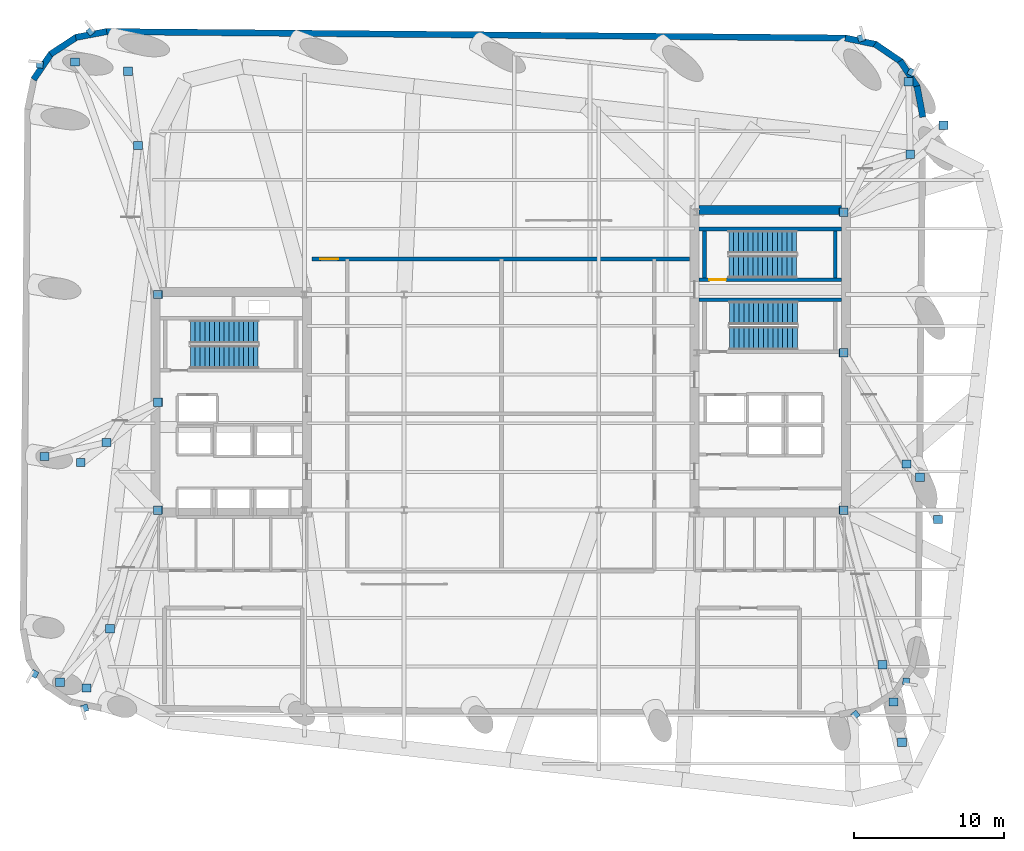
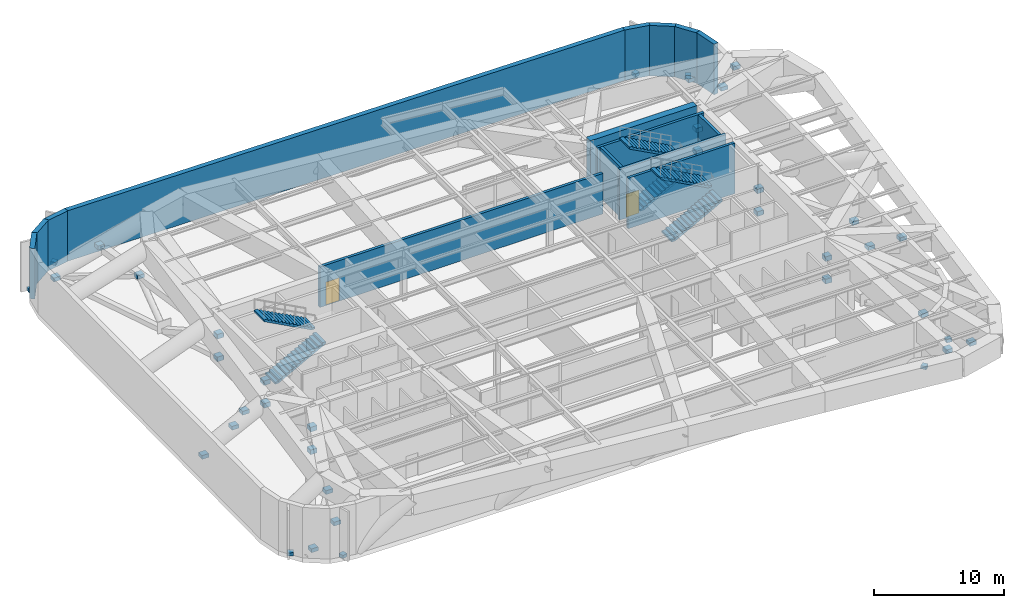
# One storey, part 9 of 13: 50 discrete accessories, 15 walls, 6 stair flights, 2 doors, 2 openings, 3 elements without a shape of their own.
"""IFC4 building model written with IfcOpenShell, lengths in metres."""

from ifc_helpers import new_model, si_unit, direction, frame, frame_2d, origin, origin_2d, place, context, subcontext, project, spatial, polyline, rectangle, outline, extrude, material, layer, layer_set, type_object, element, fill, aggregate, save


model = new_model("IFC4")

# Units and contexts
model_context = context("Model", 3, precision=1e-05, world=origin(), true_north=direction((0.0, 1.0)))
body_context = subcontext(model_context, "Body", "Model", "MODEL_VIEW")
ifc_project = project(units=[si_unit("LENGTHUNIT", "METRE"), si_unit("AREAUNIT", "SQUARE_METRE"), si_unit("VOLUMEUNIT", "CUBIC_METRE"), si_unit("PLANEANGLEUNIT", "RADIAN"), si_unit("MASSUNIT", "GRAM", prefix="KILO")], contexts=[model_context])

# Site, building, storey
site_placement = place(None, origin())
site = spatial("IfcSite", under=ifc_project, at=site_placement, CompositionType="ELEMENT")
building_placement = place(site_placement, origin())
building = spatial("IfcBuilding", under=site, at=building_placement, Name="Kolvaren Arena Tower", CompositionType="ELEMENT")
storey_placement = place(building_placement, frame((0.0, 0.0, 210.949951171875)))
storey = spatial("IfcBuildingStorey", under=building, at=storey_placement, Name="L51", CompositionType="ELEMENT", Elevation=210.949951171875)

# Walls
ifc_material_1 = material(Name="Concrete 60 MPa", Category="concrete")
ifc_layer_1 = layer(ifc_material_1, 0.60009765625)
ifc_layer_set_1 = layer_set([ifc_layer_1], Name="Concrete 60 MPa")
wall_type_1 = type_object("IfcWallType", Name="CWALL-600", PredefinedType="SHEAR", material=ifc_layer_set_1)
wall_1_placement = place(storey_placement, frame((50.699951171875, 39.5, -0.419921875), z_axis=(0.0, 0.0, 1.0), x_axis=(1.0, 0.0, 0.0)))
element("IfcWall", 1, at=wall_1_placement, inside=storey, type_object=wall_type_1, Name="Core Shear Wall EC-NORTH (L51)", PredefinedType="SHEAR", context=body_context, shape_type="SweptSolid", body=[
    extrude(rectangle(XDim=9.5, YDim=0.60009765625, at=frame_2d((4.75, 0.0))), origin(), (0.0, 0.0, 1.0), 5.169921875),
])
ifc_material_2 = material(Name="Precast concrete C50/60", Category="concrete")
ifc_layer_2 = layer(ifc_material_2, 0.419921875)
ifc_layer_set_2 = layer_set([ifc_layer_2], Name="Precast concrete C50/60")
wall_type_2 = type_object("IfcWallType", Name="EXT-PIER1", PredefinedType="SOLIDWALL", material=ifc_layer_set_2)
wall_2_placement = place(storey_placement, frame((65.25146484375, 47.767578125, 0.0), z_axis=(0.0, 0.0, 1.0), x_axis=(0.186435855703, -0.98246713518, 0.0)))
element("IfcWall", 2, at=wall_2_placement, inside=storey, type_object=wall_type_2, Name="Exterior Precast Masonry-Frame Wall (L51)", PredefinedType="SOLIDWALL", context=body_context, shape_type="SweptSolid", body=[
    extrude(rectangle(XDim=2.10693359375, YDim=0.419921875, at=frame_2d((1.053466796875, 0.0))), origin(), (0.0, 0.0, 1.0), 4.75),
])
wall_3_placement = place(storey_placement, frame((64.126953125, 49.45361328125, 0.0), z_axis=(0.0, 0.0, 1.0), x_axis=(0.548238722478, -0.83632188969, 0.0)))
element("IfcWall", 3, at=wall_3_placement, inside=storey, type_object=wall_type_2, Name="Exterior Precast Masonry-Frame Wall (L51)", PredefinedType="SOLIDWALL", context=body_context, shape_type="SweptSolid", body=[
    extrude(rectangle(XDim=2.106689453125, YDim=0.419921875, at=frame_2d((1.05322265625, 0.0))), origin(), (0.0, 0.0, 1.0), 4.75),
])
wall_4_placement = place(storey_placement, frame((62.442626953125, 50.580810546875, 0.0), z_axis=(0.0, 0.0, 1.0), x_axis=(0.826609569219, -0.56277581689, 0.0)))
element("IfcWall", 4, at=wall_4_placement, inside=storey, type_object=wall_type_2, Name="Exterior Precast Masonry-Frame Wall (L51)", PredefinedType="SOLIDWALL", context=body_context, shape_type="SweptSolid", body=[
    extrude(rectangle(XDim=2.10693359375, YDim=0.419921875, at=frame_2d((1.053466796875, 0.0))), origin(), (0.0, 0.0, 1.0), 4.75),
])
wall_5_placement = place(storey_placement, frame((60.455078125, 50.97802734375, 0.0), z_axis=(0.0, 0.0, 1.0), x_axis=(0.979036289883, -0.203685893209, 0.0)))
element("IfcWall", 5, at=wall_5_placement, inside=storey, type_object=wall_type_2, Name="Exterior Precast Masonry-Frame Wall (L51)", PredefinedType="SOLIDWALL", context=body_context, shape_type="SweptSolid", body=[
    extrude(rectangle(XDim=2.107177734375, YDim=0.419921875, at=frame_2d((1.0537109375, 0.0))), origin(), (0.0, 0.0, 1.0), 4.75),
])
wall_6_placement = place(storey_placement, frame((11.09814453125, 51.40478515625, 0.0), z_axis=(0.0, 0.0, 1.0), x_axis=(0.99996191194, -0.008727810138, 0.0)))
element("IfcWall", 6, at=wall_6_placement, inside=storey, type_object=wall_type_2, Name="Exterior Precast Masonry-Frame Wall (L51)", PredefinedType="SOLIDWALL", context=body_context, shape_type="SweptSolid", body=[
    extrude(rectangle(XDim=49.39990234375, YDim=0.419921875, at=frame_2d((24.699951171875, 0.0))), origin(), (0.0, 0.0, 1.0), 4.75),
])
wall_7_placement = place(storey_placement, frame((9.069091796875, 51.015380859375, 0.0), z_axis=(0.0, 0.0, 1.0), x_axis=(0.982445905584, 0.186547695246, 0.0)))
element("IfcWall", 7, at=wall_7_placement, inside=storey, type_object=wall_type_2, Name="Exterior Precast Masonry-Frame Wall (L51)", PredefinedType="SOLIDWALL", context=body_context, shape_type="SweptSolid", body=[
    extrude(rectangle(XDim=2.107177734375, YDim=0.419921875, at=frame_2d((1.0537109375, 0.0))), origin(), (0.0, 0.0, 1.0), 4.75),
])
for number, where, z_axis, x_axis, name in (
    (8, (7.383056640625, 49.890869140625, 0.0), (0.0, 0.0, 1.0), (0.836268756678, 0.548319766745, 0.0), "Exterior Precast Masonry-Frame Wall (L51)"),
    (9, (6.255615234375, 48.20654296875, 0.0), (0.0, 0.0, 1.0), (0.56277581689, 0.826609569219, 0.0), "Exterior Precast Masonry-Frame Wall (L51)"),
):
    element("IfcWall", number, at=place(storey_placement, frame(where, z_axis=z_axis, x_axis=x_axis)), inside=storey, type_object=wall_type_2, Name=name, PredefinedType="SOLIDWALL", context=body_context, shape_type="SweptSolid", body=[
        extrude(rectangle(XDim=2.10693359375, YDim=0.419921875, at=frame_2d((1.053466796875, 0.0))), origin(), (0.0, 0.0, 1.0), 4.75),
    ])
ifc_material_3 = material(Name="Concrete 45 MPa", Category="concrete")
ifc_layer_3 = layer(ifc_material_3, 0.25)
ifc_layer_set_3 = layer_set([ifc_layer_3], Name="Concrete 45 MPa")
wall_type_3 = type_object("IfcWallType", Name="SHAFT-250", PredefinedType="SOLIDWALL", material=ifc_layer_set_3)
wall_8_placement = place(storey_placement, frame((50.699951171875, 33.5, 0.0), z_axis=(0.0, 0.0, 1.0), x_axis=(1.0, 0.0, 0.0)))
element("IfcWall", 10, at=wall_8_placement, inside=storey, type_object=wall_type_3, Name="Core Shaft Wall (L51)", PredefinedType="SOLIDWALL", context=body_context, shape_type="SweptSolid", body=[
    extrude(rectangle(XDim=9.5, YDim=0.239990234375, at=frame_2d((4.75, 0.0))), origin(), (0.0, 0.0, 1.0), 4.75),
])

# Wall, opening, door
wall_9_placement = place(storey_placement, frame((60.199951171875, 34.830078125, 0.0), z_axis=(0.0, 0.0, 1.0), x_axis=(-1.0, 0.0, 0.0)))
wall_9 = element("IfcWall", 11, at=wall_9_placement, inside=storey, type_object=wall_type_3, Name="Core Shaft Wall (L51)", PredefinedType="SOLIDWALL", context=body_context, shape_type="SweptSolid", body=[
    extrude(rectangle(XDim=9.5, YDim=0.239990234375, at=frame_2d((4.75, 0.0))), origin(), (0.0, 0.0, 1.0), 4.75),
])
opening_1_placement = place(wall_9_placement, frame((7.719970703125, 0.0, 0.0)))
opening_1 = element("IfcOpeningElement", 12, at=opening_1_placement, cuts=wall_9, Name="Opening D03", PredefinedType="OPENING", context=body_context, shape_type="SweptSolid", body=[
    extrude(rectangle(XDim=1.10009765625, YDim=2.14990234375, at=frame_2d((0.550048828125, 1.074951171875))), frame((0.0, 0.1298828125, 0.0), z_axis=(0.0, -1.0, 0.0), x_axis=(1.0, 0.0, 0.0)), (0.0, 0.0, 1.0), 0.260009765625),
])
ifc_material_4 = material(Name="Fire-rated steel exit stair door", Category="steel")
door_type_1 = type_object("IfcDoorType", Name="DOOR-ST-110", OperationType="NOTDEFINED", PredefinedType="DOOR", material=ifc_material_4)
door_1_placement = place(opening_1_placement, origin())
door_1 = element("IfcDoor", 13, at=door_1_placement, inside=storey, type_object=door_type_1, Name="Stair ST-E2 Fire Door (L51)", OperationType="SINGLE_SWING_LEFT", OverallHeight=2.14990234375, OverallWidth=1.10009765625, PredefinedType="DOOR", context=body_context, shape_type="SweptSolid", body=[
    extrude(rectangle(XDim=1.10009765625, YDim=2.14990234375, at=frame_2d((0.550048828125, 1.074951171875))), frame((0.0, 0.02490234375, 0.0), z_axis=(0.0, -1.0, 0.0), x_axis=(1.0, 0.0, 0.0)), (0.0, 0.0, 1.0), 0.050048828125),
])
fill(opening_1, door_1)

# Walls
wall_10_placement = place(storey_placement, frame((50.699951171875, 38.219970703125, 0.0), z_axis=(0.0, 0.0, 1.0), x_axis=(1.0, 0.0, 0.0)))
element("IfcWall", 14, at=wall_10_placement, inside=storey, type_object=wall_type_3, Name="Core Shaft Wall (L51)", PredefinedType="SOLIDWALL", context=body_context, shape_type="SweptSolid", body=[
    extrude(rectangle(XDim=9.5, YDim=0.239990234375, at=frame_2d((4.75, 0.0))), origin(), (0.0, 0.0, 1.0), 4.75),
])
for number, where, z_axis, x_axis, name in (
    (15, (51.06005859375, 34.949951171875, 0.0), (0.0, 0.0, 1.0), (0.0, 1.0, 0.0), "Core Shaft Wall (L51)"),
    (16, (59.780029296875, 34.949951171875, 0.0), (0.0, 0.0, 1.0), (0.0, 1.0, 0.0), "Core Shaft Wall (L51)"),
):
    element("IfcWall", number, at=place(storey_placement, frame(where, z_axis=z_axis, x_axis=x_axis)), inside=storey, type_object=wall_type_3, Name=name, PredefinedType="SOLIDWALL", context=body_context, shape_type="SweptSolid", body=[
        extrude(rectangle(XDim=3.150146484375, YDim=0.239990234375, at=frame_2d((1.5751953125, 0.0))), origin(), (0.0, 0.0, 1.0), 4.75),
    ])

# Wall, opening, door
wall_11_placement = place(storey_placement, frame((24.85009765625, 36.219970703125, 0.0), z_axis=(0.0, 0.0, 1.0), x_axis=(1.0, 0.0, 0.0)))
wall_11 = element("IfcWall", 17, at=wall_11_placement, inside=storey, type_object=wall_type_3, Name="Interior Partition Wall (L51)", PredefinedType="SOLIDWALL", context=body_context, shape_type="SweptSolid", body=[
    extrude(rectangle(XDim=25.199951171875, YDim=0.25, at=frame_2d((12.60009765625, 0.0))), origin(), (0.0, 0.0, 1.0), 3.81005859375),
])
opening_2_placement = place(wall_11_placement, frame((0.550048828125, 0.0, 0.0)))
opening_2 = element("IfcOpeningElement", 18, at=opening_2_placement, cuts=wall_11, Name="Opening D08", PredefinedType="OPENING", context=body_context, shape_type="SweptSolid", body=[
    extrude(rectangle(XDim=1.199951171875, YDim=2.199951171875, at=frame_2d((0.60009765625, 1.10009765625))), frame((0.0, 0.135009765625, 0.0), z_axis=(0.0, -1.0, 0.0), x_axis=(1.0, 0.0, 0.0)), (0.0, 0.0, 1.0), 0.27001953125),
])
ifc_material_5 = material(Name="Fire-rated steel plant room door", Category="steel")
door_type_2 = type_object("IfcDoorType", Name="DOOR-PL-120", OperationType="NOTDEFINED", PredefinedType="DOOR", material=ifc_material_5)
door_2_placement = place(opening_2_placement, origin())
door_2 = element("IfcDoor", 19, at=door_2_placement, inside=storey, type_object=door_type_2, Name="Smoke Fan Plant Door (L51)", OperationType="SINGLE_SWING_LEFT", OverallHeight=2.199951171875, OverallWidth=1.199951171875, PredefinedType="DOOR", context=body_context, shape_type="SweptSolid", body=[
    extrude(rectangle(XDim=1.199951171875, YDim=2.199951171875, at=frame_2d((0.60009765625, 1.10009765625))), frame((0.0, 0.02490234375, 0.0), z_axis=(0.0, -1.0, 0.0), x_axis=(1.0, 0.0, 0.0)), (0.0, 0.0, 1.0), 0.050048828125),
])
fill(opening_2, door_2)

# Stair, stair flights
stair_type_1 = type_object("IfcStairType", Name="STAIR-CORE-150", PredefinedType="HALF_TURN_STAIR", material=ifc_material_3)
stair_1_placement = place(storey_placement, origin())
stair_1 = element("IfcStair", 20, at=stair_1_placement, inside=storey, type_object=stair_type_1, Name="L51 ST-E2", PredefinedType="HALF_TURN_STAIR")
stair_flight_type_1 = type_object("IfcStairFlightType", Name="FLT-150", PredefinedType="STRAIGHT", material=ifc_material_3)
stair_flight_1_placement = place(storey_placement, frame((52.679931640625, 35.699951171875, 0.0), z_axis=(0.0, 0.0, 1.0), x_axis=(1.0, 0.0, 0.0)))
stair_flight_1 = element("IfcStairFlight", 21, at=stair_flight_1_placement, type_object=stair_flight_type_1, Name="ST-E2 flight 1", NumberOfRisers=15, NumberOfTreads=14, PredefinedType="STRAIGHT", RiserHeight=0.173333333, TreadLength=0.324, context=body_context, shape_type="SweptSolid", body=[
    extrude(outline(polyline([(0.0, 0.0), (0.0, 0.17333984375), (0.323974609375, 0.17333984375), (0.323974609375, 0.3466796875), (0.64794921875, 0.3466796875), (0.64794921875, 0.52001953125), (0.971923828125, 0.52001953125), (0.971923828125, 0.693359375), (1.2958984375, 0.693359375), (1.2958984375, 0.86669921875), (1.6201171875, 0.86669921875), (1.6201171875, 1.0400390625), (1.944091796875, 1.0400390625), (1.944091796875, 1.21337890625), (2.26806640625, 1.21337890625), (2.26806640625, 1.38671875), (2.592041015625, 1.38671875), (2.592041015625, 1.56005859375), (2.916015625, 1.56005859375), (2.916015625, 1.7333984375), (3.239990234375, 1.7333984375), (3.239990234375, 1.90673828125), (3.56396484375, 1.90673828125), (3.56396484375, 2.080078125), (3.887939453125, 2.080078125), (3.887939453125, 2.25341796875), (4.2119140625, 2.25341796875), (4.2119140625, 2.4267578125), (4.535888671875, 2.4267578125), (4.535888671875, 2.60009765625), (4.535888671875, 2.256591796875), (0.31787109375, 0.0), (0.0, 0.0)])), frame((0.0, 0.75, 0.0), z_axis=(0.0, -1.0, 0.0), x_axis=(1.0, 0.0, 0.0)), (0.0, 0.0, 1.0), 1.5),
])
stair_flight_2_placement = place(storey_placement, frame((57.216064453125, 37.35009765625, 2.60009765625), z_axis=(0.0, 0.0, 1.0), x_axis=(-1.0, 0.0, 0.0)))
stair_flight_2 = element("IfcStairFlight", 22, at=stair_flight_2_placement, type_object=stair_flight_type_1, Name="ST-E2 flight 2", NumberOfRisers=15, NumberOfTreads=14, PredefinedType="STRAIGHT", RiserHeight=0.173333333, TreadLength=0.324, context=body_context, shape_type="SweptSolid", body=[
    extrude(outline(polyline([(0.0, 0.0), (0.0, 0.17333984375), (0.323974609375, 0.17333984375), (0.323974609375, 0.3466796875), (0.64794921875, 0.3466796875), (0.64794921875, 0.52001953125), (0.971923828125, 0.52001953125), (0.971923828125, 0.693359375), (1.2958984375, 0.693359375), (1.2958984375, 0.86669921875), (1.6201171875, 0.86669921875), (1.6201171875, 1.0400390625), (1.944091796875, 1.0400390625), (1.944091796875, 1.21337890625), (2.26806640625, 1.21337890625), (2.26806640625, 1.38671875), (2.592041015625, 1.38671875), (2.592041015625, 1.56005859375), (2.916015625, 1.56005859375), (2.916015625, 1.7333984375), (3.239990234375, 1.7333984375), (3.239990234375, 1.90673828125), (3.56396484375, 1.90673828125), (3.56396484375, 2.080078125), (3.887939453125, 2.080078125), (3.887939453125, 2.25341796875), (4.2119140625, 2.25341796875), (4.2119140625, 2.4267578125), (4.535888671875, 2.4267578125), (4.535888671875, 2.60009765625), (4.535888671875, 2.256591796875), (0.31787109375, 0.0), (0.0, 0.0)])), frame((0.0, 0.75, 0.0), z_axis=(0.0, -1.0, 0.0), x_axis=(1.0, 0.0, 0.0)), (0.0, 0.0, 1.0), 1.5),
])
aggregate(stair_1, [stair_flight_1, stair_flight_2])

stair_type_2 = type_object("IfcStairType", Name="STAIR-CORE-165", PredefinedType="HALF_TURN_STAIR", material=ifc_material_3)
stair_2_placement = place(storey_placement, origin())
stair_2 = element("IfcStair", 23, at=stair_2_placement, inside=storey, type_object=stair_type_2, Name="L51 ST-W1", PredefinedType="HALF_TURN_STAIR")
stair_flight_type_2 = type_object("IfcStairFlightType", Name="FLT-165", PredefinedType="STRAIGHT", material=ifc_material_3)
stair_flight_3_placement = place(storey_placement, frame((16.719970703125, 29.669921875, 0.0), z_axis=(0.0, 0.0, 1.0), x_axis=(1.0, 0.0, 0.0)))
stair_flight_3 = element("IfcStairFlight", 24, at=stair_flight_3_placement, type_object=stair_flight_type_2, Name="ST-W1 flight 1", NumberOfRisers=15, NumberOfTreads=14, PredefinedType="STRAIGHT", RiserHeight=0.173333333, TreadLength=0.324, context=body_context, shape_type="SweptSolid", body=[
    extrude(outline(polyline([(0.0, 0.0), (0.0, 0.17333984375), (0.323974609375, 0.17333984375), (0.323974609375, 0.3466796875), (0.64794921875, 0.3466796875), (0.64794921875, 0.52001953125), (0.971923828125, 0.52001953125), (0.971923828125, 0.693359375), (1.2958984375, 0.693359375), (1.2958984375, 0.86669921875), (1.6201171875, 0.86669921875), (1.6201171875, 1.0400390625), (1.944091796875, 1.0400390625), (1.944091796875, 1.21337890625), (2.26806640625, 1.21337890625), (2.26806640625, 1.38671875), (2.592041015625, 1.38671875), (2.592041015625, 1.56005859375), (2.916015625, 1.56005859375), (2.916015625, 1.7333984375), (3.239990234375, 1.7333984375), (3.239990234375, 1.90673828125), (3.56396484375, 1.90673828125), (3.56396484375, 2.080078125), (3.887939453125, 2.080078125), (3.887939453125, 2.25341796875), (4.2119140625, 2.25341796875), (4.2119140625, 2.4267578125), (4.535888671875, 2.4267578125), (4.535888671875, 2.60009765625), (4.535888671875, 2.256591796875), (0.31787109375, 0.0), (0.0, 0.0)])), frame((0.0, 0.77001953125, 0.0), z_axis=(0.0, -1.0, 0.0), x_axis=(1.0, 0.0, 0.0)), (0.0, 0.0, 1.0), 1.5400390625),
])
stair_flight_4_placement = place(storey_placement, frame((21.256103515625, 31.360107421875, 2.60009765625), z_axis=(0.0, 0.0, 1.0), x_axis=(-1.0, 0.0, 0.0)))
stair_flight_4 = element("IfcStairFlight", 25, at=stair_flight_4_placement, type_object=stair_flight_type_2, Name="ST-W1 flight 2", NumberOfRisers=15, NumberOfTreads=14, PredefinedType="STRAIGHT", RiserHeight=0.173333333, TreadLength=0.324, context=body_context, shape_type="SweptSolid", body=[
    extrude(outline(polyline([(0.0, 0.0), (0.0, 0.17333984375), (0.323974609375, 0.17333984375), (0.323974609375, 0.3466796875), (0.64794921875, 0.3466796875), (0.64794921875, 0.52001953125), (0.971923828125, 0.52001953125), (0.971923828125, 0.693359375), (1.2958984375, 0.693359375), (1.2958984375, 0.86669921875), (1.6201171875, 0.86669921875), (1.6201171875, 1.0400390625), (1.944091796875, 1.0400390625), (1.944091796875, 1.21337890625), (2.26806640625, 1.21337890625), (2.26806640625, 1.38671875), (2.592041015625, 1.38671875), (2.592041015625, 1.56005859375), (2.916015625, 1.56005859375), (2.916015625, 1.7333984375), (3.239990234375, 1.7333984375), (3.239990234375, 1.90673828125), (3.56396484375, 1.90673828125), (3.56396484375, 2.080078125), (3.887939453125, 2.080078125), (3.887939453125, 2.25341796875), (4.2119140625, 2.25341796875), (4.2119140625, 2.4267578125), (4.535888671875, 2.4267578125), (4.535888671875, 2.60009765625), (4.535888671875, 2.256591796875), (0.31787109375, 0.0), (0.0, 0.0)])), frame((0.0, 0.77001953125, 0.0), z_axis=(0.0, -1.0, 0.0), x_axis=(1.0, 0.0, 0.0)), (0.0, 0.0, 1.0), 1.5400390625),
])
aggregate(stair_2, [stair_flight_3, stair_flight_4])

stair_3_placement = place(storey_placement, origin())
stair_3 = element("IfcStair", 26, at=stair_3_placement, inside=storey, type_object=stair_type_2, Name="L51 ST-E1", PredefinedType="HALF_TURN_STAIR")
stair_flight_5_placement = place(storey_placement, frame((52.719970703125, 30.919921875, 0.0), z_axis=(0.0, 0.0, 1.0), x_axis=(1.0, 0.0, 0.0)))
stair_flight_5 = element("IfcStairFlight", 27, at=stair_flight_5_placement, type_object=stair_flight_type_2, Name="ST-E1 flight 1", NumberOfRisers=15, NumberOfTreads=14, PredefinedType="STRAIGHT", RiserHeight=0.173333333, TreadLength=0.324, context=body_context, shape_type="SweptSolid", body=[
    extrude(outline(polyline([(0.0, 0.0), (0.0, 0.17333984375), (0.323974609375, 0.17333984375), (0.323974609375, 0.3466796875), (0.64794921875, 0.3466796875), (0.64794921875, 0.52001953125), (0.971923828125, 0.52001953125), (0.971923828125, 0.693359375), (1.2958984375, 0.693359375), (1.2958984375, 0.86669921875), (1.6201171875, 0.86669921875), (1.6201171875, 1.0400390625), (1.944091796875, 1.0400390625), (1.944091796875, 1.21337890625), (2.26806640625, 1.21337890625), (2.26806640625, 1.38671875), (2.592041015625, 1.38671875), (2.592041015625, 1.56005859375), (2.916015625, 1.56005859375), (2.916015625, 1.7333984375), (3.239990234375, 1.7333984375), (3.239990234375, 1.90673828125), (3.56396484375, 1.90673828125), (3.56396484375, 2.080078125), (3.887939453125, 2.080078125), (3.887939453125, 2.25341796875), (4.2119140625, 2.25341796875), (4.2119140625, 2.4267578125), (4.535888671875, 2.4267578125), (4.535888671875, 2.60009765625), (4.535888671875, 2.256591796875), (0.31787109375, 0.0), (0.0, 0.0)])), frame((0.0, 0.77001953125, 0.0), z_axis=(0.0, -1.0, 0.0), x_axis=(1.0, 0.0, 0.0)), (0.0, 0.0, 1.0), 1.5400390625),
])
stair_flight_6_placement = place(storey_placement, frame((57.256103515625, 32.610107421875, 2.60009765625), z_axis=(0.0, 0.0, 1.0), x_axis=(-1.0, 0.0, 0.0)))
stair_flight_6 = element("IfcStairFlight", 28, at=stair_flight_6_placement, type_object=stair_flight_type_2, Name="ST-E1 flight 2", NumberOfRisers=15, NumberOfTreads=14, PredefinedType="STRAIGHT", RiserHeight=0.173333333, TreadLength=0.324, context=body_context, shape_type="SweptSolid", body=[
    extrude(outline(polyline([(0.0, 0.0), (0.0, 0.17333984375), (0.323974609375, 0.17333984375), (0.323974609375, 0.3466796875), (0.64794921875, 0.3466796875), (0.64794921875, 0.52001953125), (0.971923828125, 0.52001953125), (0.971923828125, 0.693359375), (1.2958984375, 0.693359375), (1.2958984375, 0.86669921875), (1.6201171875, 0.86669921875), (1.6201171875, 1.0400390625), (1.944091796875, 1.0400390625), (1.944091796875, 1.21337890625), (2.26806640625, 1.21337890625), (2.26806640625, 1.38671875), (2.592041015625, 1.38671875), (2.592041015625, 1.56005859375), (2.916015625, 1.56005859375), (2.916015625, 1.7333984375), (3.239990234375, 1.7333984375), (3.239990234375, 1.90673828125), (3.56396484375, 1.90673828125), (3.56396484375, 2.080078125), (3.887939453125, 2.080078125), (3.887939453125, 2.25341796875), (4.2119140625, 2.25341796875), (4.2119140625, 2.4267578125), (4.535888671875, 2.4267578125), (4.535888671875, 2.60009765625), (4.535888671875, 2.256591796875), (0.31787109375, 0.0), (0.0, 0.0)])), frame((0.0, 0.77001953125, 0.0), z_axis=(0.0, -1.0, 0.0), x_axis=(1.0, 0.0, 0.0)), (0.0, 0.0, 1.0), 1.5400390625),
])
aggregate(stair_3, [stair_flight_5, stair_flight_6])

# Discrete accessories
ifc_material_6 = material(Name="Stainless steel facade support bracket", Category="steel")
discrete_accessory_type_1 = type_object("IfcDiscreteAccessoryType", Name="ACC-BRKT-1", PredefinedType="BRACKET", material=ifc_material_6)
for number, where, z_axis, x_axis, name in (
    (29, (61.135009765625, 5.78173828125, 0.02001953125), (0.0, 0.0, 1.0), (0.625923472184, -0.779884483093, 0.0), "Corner Fin Anchor Bracket (L51)"),
    (30, (64.52490234375, 8.00439453125, 0.02001953125), (0.0, 0.0, 1.0), (0.994056908234, -0.108861669984, 0.0), "Corner Fin Anchor Bracket (L51)"),
    (31, (64.880126953125, 48.687744140625, 0.02001953125), (0.0, 0.0, 1.0), (0.480994889615, 0.876723397751, 0.0), "Corner Fin Anchor Bracket (L51)"),
    (32, (61.529296875, 50.968994140625, 0.02001953125), (0.0, 0.0, 1.0), (-0.279812257957, 0.960054738177, 0.0), "Corner Fin Anchor Bracket (L51)"),
    (33, (10.06494140625, 51.418212890625, 0.02001953125), (0.0, 0.0, 1.0), (-0.625923472184, 0.779884483093, 0.0), "Corner Fin Anchor Bracket (L51)"),
    (34, (6.675048828125, 49.195556640625, 0.02001953125), (0.0, 0.0, 1.0), (-0.994056908234, 0.108861669984, 0.0), "Corner Fin Anchor Bracket (L51)"),
    (35, (6.31982421875, 8.51220703125, 0.02001953125), (0.0, 0.0, 1.0), (-0.480994889615, -0.876723397751, 0.0), "Corner Fin Anchor Bracket (L51)"),
    (36, (9.670654296875, 6.23095703125, 0.02001953125), (0.0, 0.0, 1.0), (0.279812257957, -0.960054738177, 0.0), "Corner Fin Anchor Bracket (L51)"),
):
    element("IfcDiscreteAccessory", number, at=place(storey_placement, frame(where, z_axis=z_axis, x_axis=x_axis)), inside=storey, type_object=discrete_accessory_type_1, Name=name, PredefinedType="BRACKET", context=body_context, shape_type="SweptSolid", body=[
        extrude(rectangle(XDim=0.449951171875, YDim=0.449951171875, at=origin_2d()), origin(), (0.0, 0.0, 1.0), 0.300048828125),
    ])
ifc_material_7 = material(Name="Steel CSA G40.21 350W bolted gusset connection", Category="steel")
discrete_accessory_type_2 = type_object("IfcDiscreteAccessoryType", Name="ACC-CONN-1", PredefinedType="BRACKET", material=ifc_material_7)
for number, where, z_axis, x_axis, name in (
    (37, (14.550048828125, 19.449951171875, 2.2998046875), (0.0, 0.0, 1.0), (1.0, 0.0, 0.0), "Outrigger Gusset Connection 1-1 (L51)"),
    (38, (14.550048828125, 19.449951171875, 0.169921875), (0.0, 0.0, 1.0), (1.0, 0.0, 0.0), "Outrigger Gusset Connection 1-2 (L51)"),
    (39, (11.37255859375, 11.525390625, 2.2998046875), (0.0, 0.0, 1.0), (1.0, 0.0, 0.0), "Outrigger Gusset Connection 1-3 (L51)"),
    (40, (9.783935546875, 7.56298828125, 2.2998046875), (0.0, 0.0, 1.0), (1.0, 0.0, 0.0), "Outrigger Gusset Connection 1-4 (L51)"),
    (41, (8.00439453125, 7.94775390625, 0.169921875), (0.0, 0.0, 1.0), (1.0, 0.0, 0.0), "Outrigger Gusset Connection 1-5 (L51)"),
    (42, (14.550048828125, 33.85009765625, 2.2998046875), (0.0, 0.0, 1.0), (1.0, 0.0, 0.0), "Outrigger Gusset Connection 2-1 (L51)"),
    (43, (14.550048828125, 33.85009765625, 0.169921875), (0.0, 0.0, 1.0), (1.0, 0.0, 0.0), "Outrigger Gusset Connection 2-2 (L51)"),
    (44, (13.223388671875, 43.7919921875, 2.2998046875), (0.0, 0.0, 1.0), (1.0, 0.0, 0.0), "Outrigger Gusset Connection 2-3 (L51)"),
    (45, (12.560302734375, 48.762939453125, 2.2998046875), (0.0, 0.0, 1.0), (1.0, 0.0, 0.0), "Outrigger Gusset Connection 2-4 (L51)"),
    (46, (9.0078125, 49.3798828125, 0.169921875), (0.0, 0.0, 1.0), (1.0, 0.0, 0.0), "Outrigger Gusset Connection 2-5 (L51)"),
    (47, (60.35009765625, 19.449951171875, 2.2998046875), (0.0, 0.0, 1.0), (1.0, 0.0, 0.0), "Outrigger Gusset Connection 3-1 (L51)"),
    (48, (60.35009765625, 19.449951171875, 0.169921875), (0.0, 0.0, 1.0), (1.0, 0.0, 0.0), "Outrigger Gusset Connection 3-2 (L51)"),
    (49, (62.949462890625, 9.116455078125, 2.2998046875), (0.0, 0.0, 1.0), (1.0, 0.0, 0.0), "Outrigger Gusset Connection 3-3 (L51)"),
    (50, (64.2490234375, 3.94970703125, 2.2998046875), (0.0, 0.0, 1.0), (1.0, 0.0, 0.0), "Outrigger Gusset Connection 3-4 (L51)"),
    (51, (63.681640625, 6.628662109375, 0.169921875), (0.0, 0.0, 1.0), (1.0, 0.0, 0.0), "Outrigger Gusset Connection 3-5 (L51)"),
    (52, (60.35009765625, 39.35009765625, 2.2998046875), (0.0, 0.0, 1.0), (1.0, 0.0, 0.0), "Outrigger Gusset Connection 4-1 (L51)"),
    (53, (60.35009765625, 39.35009765625, 0.169921875), (0.0, 0.0, 1.0), (1.0, 0.0, 0.0), "Outrigger Gusset Connection 4-2 (L51)"),
    (54, (64.80029296875, 43.21630859375, 2.2998046875), (0.0, 0.0, 1.0), (1.0, 0.0, 0.0), "Outrigger Gusset Connection 4-3 (L51)"),
    (55, (67.025390625, 45.149658203125, 2.2998046875), (0.0, 0.0, 1.0), (1.0, 0.0, 0.0), "Outrigger Gusset Connection 4-4 (L51)"),
    (56, (64.684814453125, 48.060791015625, 0.169921875), (0.0, 0.0, 1.0), (1.0, 0.0, 0.0), "Outrigger Gusset Connection 4-5 (L51)"),
    (57, (14.550048828125, 26.64990234375, 2.2998046875), (0.0, 0.0, 1.0), (1.0, 0.0, 0.0), "Outrigger Gusset Connection 5-1 (L51)"),
    (58, (14.550048828125, 26.64990234375, 0.169921875), (0.0, 0.0, 1.0), (1.0, 0.0, 0.0), "Outrigger Gusset Connection 5-2 (L51)"),
    (59, (11.120849609375, 23.964599609375, 2.2998046875), (0.0, 0.0, 1.0), (1.0, 0.0, 0.0), "Outrigger Gusset Connection 5-3 (L51)"),
    (60, (9.40625, 22.62158203125, 2.2998046875), (0.0, 0.0, 1.0), (1.0, 0.0, 0.0), "Outrigger Gusset Connection 5-4 (L51)"),
    (61, (6.97900390625, 23.02734375, 0.169921875), (0.0, 0.0, 1.0), (1.0, 0.0, 0.0), "Outrigger Gusset Connection 5-5 (L51)"),
    (62, (60.35009765625, 29.949951171875, 2.2998046875), (0.0, 0.0, 1.0), (1.0, 0.0, 0.0), "Outrigger Gusset Connection 6-1 (L51)"),
    (63, (60.35009765625, 29.949951171875, 0.169921875), (0.0, 0.0, 1.0), (1.0, 0.0, 0.0), "Outrigger Gusset Connection 6-2 (L51)"),
    (64, (64.5458984375, 22.53076171875, 2.2998046875), (0.0, 0.0, 1.0), (1.0, 0.0, 0.0), "Outrigger Gusset Connection 6-3 (L51)"),
    (65, (66.643798828125, 18.821044921875, 2.2998046875), (0.0, 0.0, 1.0), (1.0, 0.0, 0.0), "Outrigger Gusset Connection 6-4 (L51)"),
    (66, (65.43603515625, 21.640625, 0.169921875), (0.0, 0.0, 1.0), (1.0, 0.0, 0.0), "Outrigger Gusset Connection 6-5 (L51)"),
):
    element("IfcDiscreteAccessory", number, at=place(storey_placement, frame(where, z_axis=z_axis, x_axis=x_axis)), inside=storey, type_object=discrete_accessory_type_2, Name=name, PredefinedType="BRACKET", context=body_context, shape_type="SweptSolid", body=[
        extrude(rectangle(XDim=0.60009765625, YDim=0.550048828125, at=origin_2d()), origin(), (0.0, 0.0, 1.0), 0.360107421875),
    ])
for number, where, z_axis, x_axis, name in (
    (67, (14.550048828125, 19.449951171875, 2.260009765625), (0.0, 0.0, 1.0), (1.0, 0.0, 0.0), "Core Wall Cast-In Embed Plate EP1 (L51)"),
    (68, (14.550048828125, 19.449951171875, 0.130126953125), (0.0, 0.0, 1.0), (1.0, 0.0, 0.0), "Core Wall Cast-In Embed Plate EP1 (L51)"),
    (69, (14.550048828125, 33.85009765625, 2.260009765625), (0.0, 0.0, 1.0), (1.0, 0.0, 0.0), "Core Wall Cast-In Embed Plate EP1 (L51)"),
    (70, (14.550048828125, 33.85009765625, 0.130126953125), (0.0, 0.0, 1.0), (1.0, 0.0, 0.0), "Core Wall Cast-In Embed Plate EP1 (L51)"),
    (71, (60.35009765625, 19.449951171875, 2.260009765625), (0.0, 0.0, 1.0), (1.0, 0.0, 0.0), "Core Wall Cast-In Embed Plate EP1 (L51)"),
    (72, (60.35009765625, 19.449951171875, 0.130126953125), (0.0, 0.0, 1.0), (1.0, 0.0, 0.0), "Core Wall Cast-In Embed Plate EP1 (L51)"),
    (73, (60.35009765625, 39.35009765625, 2.260009765625), (0.0, 0.0, 1.0), (1.0, 0.0, 0.0), "Core Wall Cast-In Embed Plate EP1 (L51)"),
    (74, (60.35009765625, 39.35009765625, 0.130126953125), (0.0, 0.0, 1.0), (1.0, 0.0, 0.0), "Core Wall Cast-In Embed Plate EP1 (L51)"),
    (75, (14.550048828125, 26.64990234375, 2.260009765625), (0.0, 0.0, 1.0), (1.0, 0.0, 0.0), "Core Wall Cast-In Embed Plate EP1 (L51)"),
    (76, (14.550048828125, 26.64990234375, 0.130126953125), (0.0, 0.0, 1.0), (1.0, 0.0, 0.0), "Core Wall Cast-In Embed Plate EP1 (L51)"),
    (77, (60.35009765625, 29.949951171875, 2.260009765625), (0.0, 0.0, 1.0), (1.0, 0.0, 0.0), "Core Wall Cast-In Embed Plate EP1 (L51)"),
    (78, (60.35009765625, 29.949951171875, 0.130126953125), (0.0, 0.0, 1.0), (1.0, 0.0, 0.0), "Core Wall Cast-In Embed Plate EP1 (L51)"),
):
    element("IfcDiscreteAccessory", number, at=place(storey_placement, frame(where, z_axis=z_axis, x_axis=x_axis)), inside=storey, type_object=discrete_accessory_type_2, Name=name, PredefinedType="BRACKET", context=body_context, shape_type="SweptSolid", body=[
        extrude(rectangle(XDim=0.56005859375, YDim=0.56005859375, at=origin_2d()), origin(), (0.0, 0.0, 1.0), 0.43994140625),
    ])

save(model, "model.ifc")
